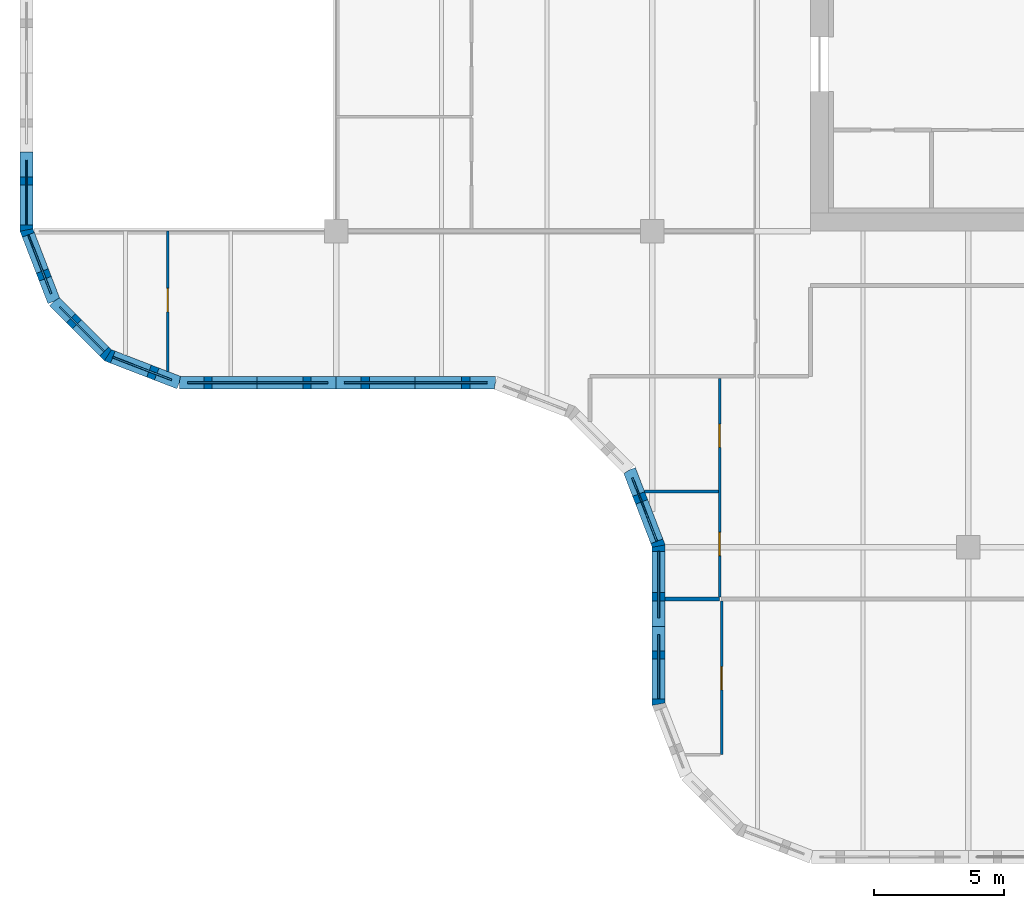
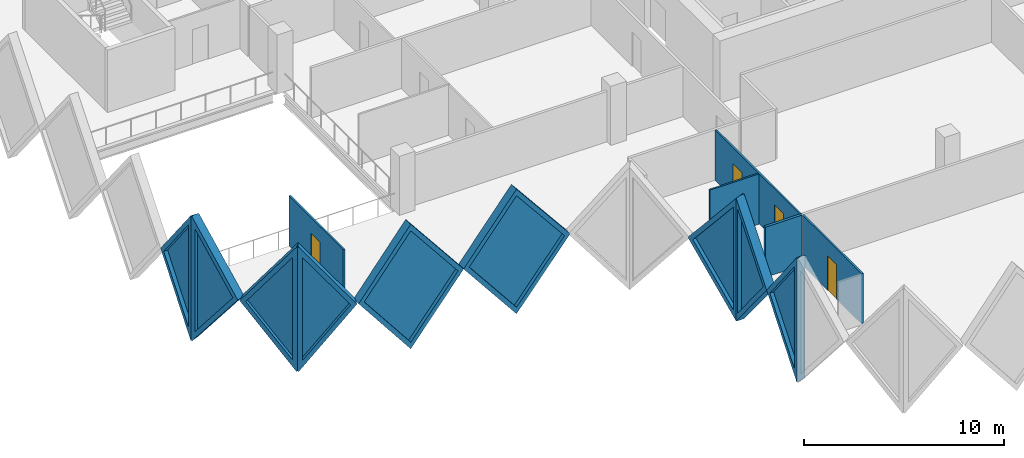
# One storey, part 3 of 12: 14 walls, 9 plates, 4 doors, 13 openings.
"""IFC4 building model written with IfcOpenShell, lengths in metres."""

from ifc_helpers import new_model, si_unit, direction, frame, frame_2d, origin, place, context, subcontext, project, spatial, polyline, rectangle, outline, extrude, faceted_brep, source, transform, mapped, material, layer, layer_set, type_object, element, fill, save


model = new_model("IFC4")

# Units and contexts
model_context = context("Model", 3, precision=1e-05, world=origin(), true_north=direction((0.0, 1.0)))
body_context = subcontext(model_context, "Body", "Model", "MODEL_VIEW")
ifc_project = project(units=[si_unit("LENGTHUNIT", "METRE"), si_unit("AREAUNIT", "SQUARE_METRE"), si_unit("VOLUMEUNIT", "CUBIC_METRE"), si_unit("PLANEANGLEUNIT", "RADIAN"), si_unit("MASSUNIT", "GRAM", prefix="KILO")], contexts=[model_context])

# Site, building, storey
site_placement = place(None, origin())
site = spatial("IfcSite", under=ifc_project, at=site_placement, CompositionType="ELEMENT")
building_placement = place(site_placement, origin())
building = spatial("IfcBuilding", under=site, at=building_placement, Name="Tessera Gate Towers", CompositionType="ELEMENT")
storey_placement = place(building_placement, frame((0.0, 0.0, 139.199951171875)))
storey = spatial("IfcBuildingStorey", under=building, at=storey_placement, Name="L34", CompositionType="ELEMENT", Elevation=139.199951171875)

# Wall, opening, door
ifc_material_1 = material(Name="Glass", Category="glass")
ifc_layer_1 = layer(ifc_material_1, 0.10009765625)
ifc_layer_set_1 = layer_set([ifc_layer_1], Name="GLAZED PARTITION 100")
wall_type_1 = type_object("IfcWallType", Name="GLAZED PARTITION 100", PredefinedType="PARTITIONING", material=ifc_layer_set_1)
wall_1_placement = place(storey_placement, frame((5.699951171875, 18.990234375, 0.0), z_axis=(0.0, 0.0, 1.0), x_axis=(0.0, 1.0, 0.0)))
wall_1 = element("IfcWall", 1, at=wall_1_placement, inside=storey, type_object=wall_type_1, Name="T1-L34-PW-025", PredefinedType="PARTITIONING", context=body_context, shape_type="SweptSolid", body=[
    extrude(rectangle(XDim=5.40966796875, YDim=0.10009765625, at=frame_2d((2.704833984375, 0.0))), origin(), (0.0, 0.0, 1.0), 3.067138671875),
])
shared_shape_1 = source(origin(), body_context, "Body", "SweptSolid", [
    extrude(rectangle(XDim=0.89990234375, YDim=2.10009765625, at=frame_2d((0.449951171875, 1.050048828125))), frame((0.0, 0.06005859375, 0.0), z_axis=(0.0, -1.0, 0.0), x_axis=(1.0, 0.0, 0.0)), (0.0, 0.0, 1.0), 0.1201171875),
])
opening_1_placement = place(wall_1_placement, frame((2.300048828125, 0.0, 0.0)))
opening_1 = element("IfcOpeningElement", 2, at=opening_1_placement, cuts=wall_1, Name="Opening D690-A12-02", PredefinedType="OPENING", context=body_context, shape_type="MappedRepresentation", body=[
    mapped(shared_shape_1, transform((0.0, 0.0, 0.0), scale=1.0)),
])
ifc_material_2 = material(Name="Glass in aluminium frame", Category="aluminium")
door_type_1 = type_object("IfcDoorType", Name="GLAZED DOOR 900 NOT RATED", OperationType="NOTDEFINED", PredefinedType="DOOR", material=ifc_material_2)
shared_shape_2 = source(origin(), body_context, "Body", "SweptSolid", [
    extrude(rectangle(XDim=0.89990234375, YDim=2.10009765625, at=frame_2d((0.449951171875, 1.050048828125))), frame((0.0, 0.02490234375, 0.0), z_axis=(0.0, -1.0, 0.0), x_axis=(1.0, 0.0, 0.0)), (0.0, 0.0, 1.0), 0.050048828125),
])
door_1_placement = place(opening_1_placement, origin())
door_1 = element("IfcDoor", 3, at=door_1_placement, inside=storey, type_object=door_type_1, Name="T1-L34-PD-015", OperationType="SINGLE_SWING_LEFT", OverallHeight=2.10009765625, OverallWidth=0.89990234375, PredefinedType="DOOR", context=body_context, shape_type="MappedRepresentation", body=[
    mapped(shared_shape_2, transform((0.0, 0.0, 0.0), scale=1.0)),
])
fill(opening_1, door_1)

ifc_material_3 = material(Name="Gypsum board on steel studs", Category="steel")
ifc_layer_2 = layer(ifc_material_3, 0.10009765625)
ifc_layer_set_2 = layer_set([ifc_layer_2], Name="PARTITION 100")
wall_type_2 = type_object("IfcWallType", Name="PARTITION 100", PredefinedType="PARTITIONING", material=ifc_layer_set_2)
wall_2_placement = place(storey_placement, frame((27.074951171875, 4.199951171875, 0.0), z_axis=(0.0, 0.0, 1.0), x_axis=(0.0, 1.0, 0.0)))
wall_2 = element("IfcWall", 4, at=wall_2_placement, inside=storey, type_object=wall_type_2, Name="T1-L34-PW-004", PredefinedType="PARTITIONING", context=body_context, shape_type="SweptSolid", body=[
    extrude(rectangle(XDim=5.924072265625, YDim=0.10009765625, at=frame_2d((2.9619140625, 0.0))), origin(), (0.0, 0.0, 1.0), 3.067138671875),
])
opening_2_placement = place(wall_2_placement, frame((2.5, 0.0, 0.0)))
opening_2 = element("IfcOpeningElement", 5, at=opening_2_placement, cuts=wall_2, Name="Opening D190-A12-14", PredefinedType="OPENING", context=body_context, shape_type="MappedRepresentation", body=[
    mapped(shared_shape_1, transform((0.0, 0.0, 0.0), scale=1.0)),
])
ifc_material_4 = material(Name="Timber door leaf in steel frame", Category="steel")
door_type_2 = type_object("IfcDoorType", Name="INTERNAL DOOR 900 NOT RATED", OperationType="NOTDEFINED", PredefinedType="DOOR", material=ifc_material_4)
door_2_placement = place(opening_2_placement, origin())
door_2 = element("IfcDoor", 6, at=door_2_placement, inside=storey, type_object=door_type_2, Name="T1-L34-PD-023", OperationType="SINGLE_SWING_LEFT", OverallHeight=2.10009765625, OverallWidth=0.89990234375, PredefinedType="DOOR", context=body_context, shape_type="MappedRepresentation", body=[
    mapped(shared_shape_2, transform((0.0, 0.0, 0.0), scale=1.0)),
])
fill(opening_2, door_2)

# Wall, openings, doors
wall_3_placement = place(storey_placement, frame((27.0, 10.27587890625, 0.0), z_axis=(0.0, 0.0, 1.0), x_axis=(0.0, 1.0, 0.0)))
wall_3 = element("IfcWall", 7, at=wall_3_placement, inside=storey, type_object=wall_type_2, Name="T1-L34-PW-011", PredefinedType="PARTITIONING", context=body_context, shape_type="SweptSolid", body=[
    extrude(rectangle(XDim=8.4482421875, YDim=0.10009765625, at=frame_2d((4.22412109375, 0.0))), origin(), (0.0, 0.0, 1.0), 3.067138671875),
])
opening_3_placement = place(wall_3_placement, frame((1.60009765625, 0.0, 0.0)))
opening_3 = element("IfcOpeningElement", 8, at=opening_3_placement, cuts=wall_3, Name="Opening D190-A12-01", PredefinedType="OPENING", context=body_context, shape_type="MappedRepresentation", body=[
    mapped(shared_shape_1, transform((0.0, 0.0, 0.0), scale=1.0)),
])
opening_4_placement = place(wall_3_placement, frame((5.778564453125, 0.0, 0.0)))
opening_4 = element("IfcOpeningElement", 9, at=opening_4_placement, cuts=wall_3, Name="Opening D190-A12-05", PredefinedType="OPENING", context=body_context, shape_type="MappedRepresentation", body=[
    mapped(shared_shape_1, transform((0.0, 0.0, 0.0), scale=1.0)),
])
door_3_placement = place(opening_3_placement, origin())
door_3 = element("IfcDoor", 10, at=door_3_placement, inside=storey, type_object=door_type_2, Name="T1-L34-PD-002", OperationType="SINGLE_SWING_LEFT", OverallHeight=2.10009765625, OverallWidth=0.89990234375, PredefinedType="DOOR", context=body_context, shape_type="MappedRepresentation", body=[
    mapped(shared_shape_2, transform((0.0, 0.0, 0.0), scale=1.0)),
])
fill(opening_3, door_3)
door_4_placement = place(opening_4_placement, origin())
door_4 = element("IfcDoor", 11, at=door_4_placement, inside=storey, type_object=door_type_2, Name="T1-L34-PD-006", OperationType="SINGLE_SWING_LEFT", OverallHeight=2.10009765625, OverallWidth=0.89990234375, PredefinedType="DOOR", context=body_context, shape_type="MappedRepresentation", body=[
    mapped(shared_shape_2, transform((0.0, 0.0, 0.0), scale=1.0)),
])
fill(opening_4, door_4)

# Walls
wall_4_placement = place(storey_placement, frame((24.104736328125, 14.35498046875, 0.0), z_axis=(0.0, 0.0, 1.0), x_axis=(1.0, 0.0, 0.0)))
element("IfcWall", 12, at=wall_4_placement, inside=storey, type_object=wall_type_2, Name="T1-L34-PW-014", PredefinedType="PARTITIONING", context=body_context, shape_type="SweptSolid", body=[
    extrude(rectangle(XDim=2.84423828125, YDim=0.10009765625, at=frame_2d((1.422119140625, 0.0))), origin(), (0.0, 0.0, 1.0), 3.067138671875),
])
ifc_material_5 = material(Name="Gypsum board on steel studs, mineral wool", Category="steel")
ifc_layer_3 = layer(ifc_material_5, 0.14990234375)
ifc_layer_set_3 = layer_set([ifc_layer_3], Name="TENANCY WALL 150")
wall_type_3 = type_object("IfcWallType", Name="TENANCY WALL 150", PredefinedType="PARTITIONING", material=ifc_layer_set_3)
wall_5_placement = place(storey_placement, frame((24.89990234375, 10.199951171875, 0.0), z_axis=(0.0, 0.0, 1.0), x_axis=(1.0, 0.0, 0.0)))
element("IfcWall", 13, at=wall_5_placement, inside=storey, type_object=wall_type_3, Name="T1-L34-PW-009", PredefinedType="PARTITIONING", context=body_context, shape_type="SweptSolid", body=[
    extrude(rectangle(XDim=2.10009765625, YDim=0.14990234375, at=frame_2d((1.050048828125, 0.0))), origin(), (0.0, 0.0, 1.0), 3.067138671875),
])

# Wall, opening, plate
ifc_material_6 = material(Name="Precast concrete C60/75 white", Category="concrete")
ifc_layer_4 = layer(ifc_material_6, 0.5)
ifc_layer_set_4 = layer_set([ifc_layer_4], Name="TS1 tessera")
wall_type_4 = type_object("IfcWallType", Name="TS1 tessera", PredefinedType="SOLIDWALL", material=ifc_layer_set_4)
shared_shape_3 = source(origin(), body_context, "Body", "Brep", [
    faceted_brep([(3.00341796875, -0.25, 0.0), (6.053466796875, -0.25, 3.800048828125), (3.00341796875, -0.25, 7.60009765625), (0.0, -0.25, 3.800048828125), (0.046630859375, 0.25, 3.85888671875), (3.00341796875, 0.25, 7.60009765625), (6.053466796875, 0.25, 3.800048828125), (3.00341796875, 0.25, 0.0), (0.046630859375, 0.25, 3.7412109375), (0.0, 0.0, 3.800048828125)], [[[0, 1, 2, 3]], [[4, 5, 6, 7, 8]], [[7, 6, 1, 0]], [[6, 5, 2, 1]], [[5, 4, 9, 3, 2]], [[8, 7, 0, 3, 9]], [[8, 9, 4]]]),
])
wall_6_placement = place(storey_placement, frame((6.146484375, 18.550048828125, -3.800048828125), z_axis=(0.0, 0.0, 1.0), x_axis=(1.0, 0.0, 0.0)))
wall_6 = element("IfcWall", 14, at=wall_6_placement, inside=storey, type_object=wall_type_4, Name="Precast tessera T1 TS1-0596", PredefinedType="SOLIDWALL", context=body_context, shape_type="MappedRepresentation", body=[
    mapped(shared_shape_3, transform((0.0, 0.0, 0.0), scale=1.0)),
])
shared_shape_4 = source(origin(), body_context, "Body", "SweptSolid", [
    extrude(outline(polyline([(3.0048828125, 0.4013671875), (5.73291015625, 3.800048828125), (3.0048828125, 7.19873046875), (0.318603515625, 3.800048828125), (3.0048828125, 0.4013671875)])), frame((0.0, 0.260009765625, 0.0), z_axis=(0.0, -1.0, 0.0), x_axis=(1.0, 0.0, 0.0)), (0.0, 0.0, 1.0), 0.52001953125),
])
opening_5_placement = place(wall_6_placement, origin())
opening_5 = element("IfcOpeningElement", 15, at=opening_5_placement, cuts=wall_6, Name="Opening T1-PL2-1212", PredefinedType="OPENING", context=body_context, shape_type="MappedRepresentation", body=[
    mapped(shared_shape_4, transform((0.0, 0.0, 0.0), scale=1.0)),
])
ifc_material_7 = material(Name="Low-e laminated glass", Category="glass")
ifc_layer_5 = layer(ifc_material_7, 0.06005859375)
ifc_layer_set_5 = layer_set([ifc_layer_5], Name="PL2 rhombic pane")
plate_type = type_object("IfcPlateType", Name="PL2 rhombic pane", PredefinedType="SHEET", material=ifc_layer_set_5)
shared_shape_5 = source(origin(), body_context, "Body", "SweptSolid", [
    extrude(outline(polyline([(3.0048828125, 0.4013671875), (5.73291015625, 3.800048828125), (3.0048828125, 7.19873046875), (0.318603515625, 3.800048828125), (3.0048828125, 0.4013671875)])), frame((0.0, 0.030029296875, 0.0), z_axis=(0.0, -1.0, 0.0), x_axis=(1.0, 0.0, 0.0)), (0.0, 0.0, 1.0), 0.06005859375),
])
plate_1_placement = place(opening_5_placement, origin())
plate_1 = element("IfcPlate", 16, at=plate_1_placement, inside=storey, type_object=plate_type, Name="Glass pane T1 PL2-1212", PredefinedType="SHEET", context=body_context, shape_type="MappedRepresentation", body=[
    mapped(shared_shape_5, transform((0.0, 0.0, 0.0), scale=1.0)),
])
fill(opening_5, plate_1)

ifc_material_8 = material(Name="Precast concrete C60/75 white", Category="concrete")
ifc_layer_6 = layer(ifc_material_8, 0.5)
ifc_layer_set_6 = layer_set([ifc_layer_6], Name="TS3 corner tessera")
wall_type_5 = type_object("IfcWallType", Name="TS3 corner tessera", PredefinedType="SOLIDWALL", material=ifc_layer_set_6)
shared_shape_6 = source(origin(), body_context, "Body", "Brep", [
    faceted_brep([(3.00341796875, -0.25, 0.0), (3.050048828125, -0.25, 0.06005859375), (3.050048828125, -0.25, 7.5400390625), (3.00341796875, -0.25, 7.60009765625), (0.0, -0.25, 3.800048828125), (0.0, 0.25, 3.800048828125), (2.956787109375, 0.25, 7.541259765625), (2.956787109375, 0.25, 0.058837890625), (3.00341796875, 0.000244140625, 0.0), (3.00341796875, 0.000244140625, 7.60009765625)], [[[0, 1, 2, 3, 4]], [[5, 6, 7]], [[1, 0, 8]], [[9, 3, 2]], [[6, 5, 4, 3, 9]], [[5, 7, 8, 0, 4]], [[1, 8, 7, 6, 9, 2]]]),
])
wall_7_placement = place(storey_placement, frame((0.25, 27.449951171875, -3.800048828125), z_axis=(0.0, 0.0, 1.0), x_axis=(0.0, -1.0, 0.0)))
wall_7 = element("IfcWall", 17, at=wall_7_placement, inside=storey, type_object=wall_type_5, Name="Precast corner tessera T1 TS3-0781", PredefinedType="SOLIDWALL", context=body_context, shape_type="MappedRepresentation", body=[
    mapped(shared_shape_6, transform((0.0, 0.0, 0.0), scale=1.0)),
])
shared_shape_7 = source(origin(), body_context, "Body", "SweptSolid", [
    extrude(outline(polyline([(2.803466796875, 6.94384765625), (0.318603515625, 3.800048828125), (2.803466796875, 0.65625), (2.803466796875, 6.94384765625)])), frame((0.0, 0.260009765625, 0.0), z_axis=(0.0, -1.0, 0.0), x_axis=(1.0, 0.0, 0.0)), (0.0, 0.0, 1.0), 0.52001953125),
])
opening_6_placement = place(wall_7_placement, origin())
opening_6 = element("IfcOpeningElement", 18, at=opening_6_placement, cuts=wall_7, Name="Opening T1-PL2-1208", PredefinedType="OPENING", context=body_context, shape_type="MappedRepresentation", body=[
    mapped(shared_shape_7, transform((0.0, 0.0, 0.0), scale=1.0)),
])
shared_shape_8 = source(origin(), body_context, "Body", "SweptSolid", [
    extrude(outline(polyline([(2.803466796875, 6.94384765625), (0.318603515625, 3.800048828125), (2.803466796875, 0.65625), (2.803466796875, 6.94384765625)])), frame((0.0, 0.030029296875, 0.0), z_axis=(0.0, -1.0, 0.0), x_axis=(1.0, 0.0, 0.0)), (0.0, 0.0, 1.0), 0.06005859375),
])
plate_2_placement = place(opening_6_placement, origin())
plate_2 = element("IfcPlate", 19, at=plate_2_placement, inside=storey, type_object=plate_type, Name="Glass pane T1 PL2-1208", PredefinedType="SHEET", context=body_context, shape_type="MappedRepresentation", body=[
    mapped(shared_shape_8, transform((0.0, 0.0, 0.0), scale=1.0)),
])
fill(opening_6, plate_2)

wall_8_placement = place(storey_placement, frame((24.64990234375, 9.14990234375, -3.800048828125), z_axis=(0.0, 0.0, 1.0), x_axis=(0.0, -1.0, 0.0)))
wall_8 = element("IfcWall", 20, at=wall_8_placement, inside=storey, type_object=wall_type_5, Name="Precast corner tessera T1 TS3-0789", PredefinedType="SOLIDWALL", context=body_context, shape_type="MappedRepresentation", body=[
    mapped(shared_shape_6, transform((0.0, 0.0, 0.0), scale=1.0)),
])
opening_7_placement = place(wall_8_placement, origin())
opening_7 = element("IfcOpeningElement", 21, at=opening_7_placement, cuts=wall_8, Name="Opening T1-PL2-1218", PredefinedType="OPENING", context=body_context, shape_type="MappedRepresentation", body=[
    mapped(shared_shape_7, transform((0.0, 0.0, 0.0), scale=1.0)),
])
plate_3_placement = place(opening_7_placement, origin())
plate_3 = element("IfcPlate", 22, at=plate_3_placement, inside=storey, type_object=plate_type, Name="Glass pane T1 PL2-1218", PredefinedType="SHEET", context=body_context, shape_type="MappedRepresentation", body=[
    mapped(shared_shape_8, transform((0.0, 0.0, 0.0), scale=1.0)),
])
fill(opening_7, plate_3)

shared_shape_9 = source(origin(), body_context, "Body", "Brep", [
    faceted_brep([(0.046630859375, -0.25, 0.0), (2.9970703125, -0.25, 3.800048828125), (0.046630859375, -0.25, 7.60009765625), (0.0, -0.25, 7.541259765625), (0.0, -0.25, 0.058837890625), (0.09326171875, 0.25, 7.5400390625), (2.9443359375, 0.25, 3.8681640625), (2.9443359375, 0.25, 3.73193359375), (0.09326171875, 0.25, 0.06005859375), (2.9970703125, 0.00048828125, 3.800048828125), (0.046630859375, 0.0, 0.0), (0.046630859375, 0.0, 7.60009765625)], [[[0, 1, 2, 3, 4]], [[5, 6, 7, 8]], [[8, 7, 9, 1, 0, 10]], [[6, 5, 11, 2, 1, 9]], [[3, 2, 11]], [[10, 0, 4]], [[8, 10, 4, 3, 11, 5]], [[9, 7, 6]]]),
])
wall_9_placement = place(storey_placement, frame((0.233154296875, 24.489990234375, -3.800048828125), z_axis=(0.0, 0.0, 1.0), x_axis=(0.359901446078, -0.932990326376, 0.0)))
wall_9 = element("IfcWall", 23, at=wall_9_placement, inside=storey, type_object=wall_type_5, Name="Precast corner tessera T1 TS3-0782", PredefinedType="SOLIDWALL", context=body_context, shape_type="MappedRepresentation", body=[
    mapped(shared_shape_9, transform((0.0, 0.0, 0.0), scale=1.0)),
])
shared_shape_10 = source(origin(), body_context, "Body", "SweptSolid", [
    extrude(outline(polyline([(0.24658203125, 0.665283203125), (2.6806640625, 3.800048828125), (0.24658203125, 6.934814453125), (0.24658203125, 0.665283203125)])), frame((0.0, 0.260009765625, 0.0), z_axis=(0.0, -1.0, 0.0), x_axis=(1.0, 0.0, 0.0)), (0.0, 0.0, 1.0), 0.52001953125),
])
opening_8_placement = place(wall_9_placement, origin())
opening_8 = element("IfcOpeningElement", 24, at=opening_8_placement, cuts=wall_9, Name="Opening T1-PL2-1209", PredefinedType="OPENING", context=body_context, shape_type="MappedRepresentation", body=[
    mapped(shared_shape_10, transform((0.0, 0.0, 0.0), scale=1.0)),
])
shared_shape_11 = source(origin(), body_context, "Body", "SweptSolid", [
    extrude(outline(polyline([(0.24658203125, 0.665283203125), (2.6806640625, 3.800048828125), (0.24658203125, 6.934814453125), (0.24658203125, 0.665283203125)])), frame((0.0, 0.030029296875, 0.0), z_axis=(0.0, -1.0, 0.0), x_axis=(1.0, 0.0, 0.0)), (0.0, 0.0, 1.0), 0.06005859375),
])
plate_4_placement = place(opening_8_placement, origin())
plate_4 = element("IfcPlate", 25, at=plate_4_placement, inside=storey, type_object=plate_type, Name="Glass pane T1 PL2-1209", PredefinedType="SHEET", context=body_context, shape_type="MappedRepresentation", body=[
    mapped(shared_shape_11, transform((0.0, 0.0, 0.0), scale=1.0)),
])
fill(opening_8, plate_4)

shared_shape_12 = source(origin(), body_context, "Body", "Brep", [
    faceted_brep([(0.052978515625, -0.25, 0.0), (3.00341796875, -0.25, 3.800048828125), (0.052978515625, -0.25, 7.60009765625), (0.0, -0.25, 7.53173828125), (0.0, -0.25, 0.068359375), (0.10595703125, 0.25, 7.531982421875), (2.95703125, 0.25, 3.85986328125), (2.95703125, 0.25, 3.740234375), (0.10595703125, 0.25, 0.068115234375), (3.00341796875, 0.00048828125, 3.800048828125), (0.052978515625, 0.0, 0.0), (0.052978515625, 0.0, 7.60009765625)], [[[0, 1, 2, 3, 4]], [[5, 6, 7, 8]], [[8, 7, 9, 1, 0, 10]], [[6, 5, 11, 2, 1, 9]], [[3, 2, 11]], [[10, 0, 4]], [[8, 10, 4, 3, 11, 5]], [[9, 7, 6]]]),
])
wall_10_placement = place(storey_placement, frame((3.34423828125, 19.630859375, -3.800048828125), z_axis=(0.0, 0.0, 1.0), x_axis=(0.933007896601, -0.359855894603, 0.0)))
wall_10 = element("IfcWall", 26, at=wall_10_placement, inside=storey, type_object=wall_type_5, Name="Precast corner tessera T1 TS3-0784", PredefinedType="SOLIDWALL", context=body_context, shape_type="MappedRepresentation", body=[
    mapped(shared_shape_12, transform((0.0, 0.0, 0.0), scale=1.0)),
])
shared_shape_13 = source(origin(), body_context, "Body", "SweptSolid", [
    extrude(outline(polyline([(0.2529296875, 0.665283203125), (2.68701171875, 3.800048828125), (0.2529296875, 6.934814453125), (0.2529296875, 0.665283203125)])), frame((0.0, 0.260009765625, 0.0), z_axis=(0.0, -1.0, 0.0), x_axis=(1.0, 0.0, 0.0)), (0.0, 0.0, 1.0), 0.52001953125),
])
opening_9_placement = place(wall_10_placement, origin())
opening_9 = element("IfcOpeningElement", 27, at=opening_9_placement, cuts=wall_10, Name="Opening T1-PL2-1211", PredefinedType="OPENING", context=body_context, shape_type="MappedRepresentation", body=[
    mapped(shared_shape_13, transform((0.0, 0.0, 0.0), scale=1.0)),
])
shared_shape_14 = source(origin(), body_context, "Body", "SweptSolid", [
    extrude(outline(polyline([(0.2529296875, 0.665283203125), (2.68701171875, 3.800048828125), (0.2529296875, 6.934814453125), (0.2529296875, 0.665283203125)])), frame((0.0, 0.030029296875, 0.0), z_axis=(0.0, -1.0, 0.0), x_axis=(1.0, 0.0, 0.0)), (0.0, 0.0, 1.0), 0.06005859375),
])
plate_5_placement = place(opening_9_placement, origin())
plate_5 = element("IfcPlate", 28, at=plate_5_placement, inside=storey, type_object=plate_type, Name="Glass pane T1 PL2-1211", PredefinedType="SHEET", context=body_context, shape_type="MappedRepresentation", body=[
    mapped(shared_shape_14, transform((0.0, 0.0, 0.0), scale=1.0)),
])
fill(opening_9, plate_5)

shared_shape_15 = source(origin(), body_context, "Body", "Brep", [
    faceted_brep([(2.944091796875, -0.25, 0.0), (2.9970703125, -0.25, 0.068115234375), (2.9970703125, -0.25, 7.531982421875), (2.944091796875, -0.25, 7.60009765625), (0.0, -0.25, 3.800048828125), (0.052978515625, 0.25, 3.868408203125), (2.89111328125, 0.25, 7.531982421875), (2.89111328125, 0.25, 0.068115234375), (0.052978515625, 0.25, 3.731689453125), (2.944091796875, 0.000244140625, 0.0), (2.944091796875, 0.000244140625, 7.60009765625), (0.0, 0.0, 3.800048828125)], [[[0, 1, 2, 3, 4]], [[5, 6, 7, 8]], [[1, 0, 9]], [[10, 3, 2]], [[6, 5, 11, 4, 3, 10]], [[8, 7, 9, 0, 4, 11]], [[8, 11, 5]], [[1, 9, 7, 6, 10, 2]]]),
])
wall_11_placement = place(storey_placement, frame((1.31201171875, 21.69384765625, -3.800048828125), z_axis=(0.0, 0.0, 1.0), x_axis=(0.707066050402, -0.707147509625, 0.0)))
wall_11 = element("IfcWall", 29, at=wall_11_placement, inside=storey, type_object=wall_type_5, Name="Precast corner tessera T1 TS3-0783", PredefinedType="SOLIDWALL", context=body_context, shape_type="MappedRepresentation", body=[
    mapped(shared_shape_15, transform((0.0, 0.0, 0.0), scale=1.0)),
])
shared_shape_16 = source(origin(), body_context, "Body", "SweptSolid", [
    extrude(outline(polyline([(2.744140625, 6.933837890625), (0.316162109375, 3.800048828125), (2.744140625, 0.66650390625), (2.744140625, 6.933837890625)])), frame((0.0, 0.260009765625, 0.0), z_axis=(0.0, -1.0, 0.0), x_axis=(1.0, 0.0, 0.0)), (0.0, 0.0, 1.0), 0.52001953125),
])
opening_10_placement = place(wall_11_placement, origin())
opening_10 = element("IfcOpeningElement", 30, at=opening_10_placement, cuts=wall_11, Name="Opening T1-PL2-1210", PredefinedType="OPENING", context=body_context, shape_type="MappedRepresentation", body=[
    mapped(shared_shape_16, transform((0.0, 0.0, 0.0), scale=1.0)),
])
shared_shape_17 = source(origin(), body_context, "Body", "SweptSolid", [
    extrude(outline(polyline([(2.744140625, 6.933837890625), (0.316162109375, 3.800048828125), (2.744140625, 0.66650390625), (2.744140625, 6.933837890625)])), frame((0.0, 0.030029296875, 0.0), z_axis=(0.0, -1.0, 0.0), x_axis=(1.0, 0.0, 0.0)), (0.0, 0.0, 1.0), 0.06005859375),
])
plate_6_placement = place(opening_10_placement, origin())
plate_6 = element("IfcPlate", 31, at=plate_6_placement, inside=storey, type_object=plate_type, Name="Glass pane T1 PL2-1210", PredefinedType="SHEET", context=body_context, shape_type="MappedRepresentation", body=[
    mapped(shared_shape_17, transform((0.0, 0.0, 0.0), scale=1.0)),
])
fill(opening_10, plate_6)

shared_shape_18 = source(origin(), body_context, "Body", "Brep", [
    faceted_brep([(3.050048828125, -0.25, 0.0), (6.10009765625, -0.25, 3.742919921875), (6.10009765625, -0.25, 3.857177734375), (3.050048828125, -0.25, 7.60009765625), (0.0, -0.25, 3.800048828125), (0.0, 0.25, 3.800048828125), (3.050048828125, 0.25, 7.60009765625), (6.146484375, 0.25, 3.800048828125), (3.050048828125, 0.25, 0.0), (6.146484375, -0.000244140625, 3.800048828125)], [[[0, 1, 2, 3, 4]], [[5, 6, 7, 8]], [[8, 7, 9, 1, 0]], [[7, 6, 3, 2, 9]], [[6, 5, 4, 3]], [[5, 8, 0, 4]], [[1, 9, 2]]]),
])
wall_12_placement = place(storey_placement, frame((12.199951171875, 18.550048828125, -3.800048828125), z_axis=(0.0, 0.0, 1.0), x_axis=(1.0, 0.0, 0.0)))
wall_12 = element("IfcWall", 32, at=wall_12_placement, inside=storey, type_object=wall_type_4, Name="Precast tessera T1 TS1-0597", PredefinedType="SOLIDWALL", context=body_context, shape_type="MappedRepresentation", body=[
    mapped(shared_shape_18, transform((0.0, 0.0, 0.0), scale=1.0)),
])
shared_shape_19 = source(origin(), body_context, "Body", "SweptSolid", [
    extrude(outline(polyline([(3.051513671875, 0.397705078125), (5.823974609375, 3.800048828125), (3.051513671875, 7.20263671875), (0.320556640625, 3.800048828125), (3.051513671875, 0.397705078125)])), frame((0.0, 0.260009765625, 0.0), z_axis=(0.0, -1.0, 0.0), x_axis=(1.0, 0.0, 0.0)), (0.0, 0.0, 1.0), 0.52001953125),
])
opening_11_placement = place(wall_12_placement, origin())
opening_11 = element("IfcOpeningElement", 33, at=opening_11_placement, cuts=wall_12, Name="Opening T1-PL2-1213", PredefinedType="OPENING", context=body_context, shape_type="MappedRepresentation", body=[
    mapped(shared_shape_19, transform((0.0, 0.0, 0.0), scale=1.0)),
])
shared_shape_20 = source(origin(), body_context, "Body", "SweptSolid", [
    extrude(outline(polyline([(3.051513671875, 0.397705078125), (5.823974609375, 3.800048828125), (3.051513671875, 7.20263671875), (0.320556640625, 3.800048828125), (3.051513671875, 0.397705078125)])), frame((0.0, 0.030029296875, 0.0), z_axis=(0.0, -1.0, 0.0), x_axis=(1.0, 0.0, 0.0)), (0.0, 0.0, 1.0), 0.06005859375),
])
plate_7_placement = place(opening_11_placement, origin())
plate_7 = element("IfcPlate", 34, at=plate_7_placement, inside=storey, type_object=plate_type, Name="Glass pane T1 PL2-1213", PredefinedType="SHEET", context=body_context, shape_type="MappedRepresentation", body=[
    mapped(shared_shape_20, transform((0.0, 0.0, 0.0), scale=1.0)),
])
fill(opening_11, plate_7)

shared_shape_21 = source(origin(), body_context, "Body", "Brep", [
    faceted_brep([(3.10302734375, -0.25, 7.5439453125), (0.052978515625, -0.25, 3.864013671875), (0.052978515625, -0.25, 3.736083984375), (3.10302734375, -0.25, 0.05615234375), (0.0, 0.25, 3.800048828125), (3.1494140625, 0.25, 7.60009765625), (3.196044921875, 0.25, 7.54296875), (3.196044921875, 0.25, 0.05712890625), (3.1494140625, 0.25, 0.0), (3.1494140625, -0.000244140625, 0.0), (3.1494140625, -0.000244140625, 7.60009765625), (0.0, 0.0, 3.800048828125)], [[[0, 1, 2, 3]], [[4, 5, 6, 7, 8]], [[8, 7, 9]], [[6, 5, 10]], [[5, 4, 11, 1, 0, 10]], [[4, 8, 9, 3, 2, 11]], [[11, 2, 1]], [[3, 9, 7, 6, 10, 0]]]),
])
wall_13_placement = place(storey_placement, frame((23.5166015625, 15.18505859375, -3.800048828125), z_axis=(0.0, 0.0, 1.0), x_axis=(0.359864468756, -0.933004589553, 0.0)))
wall_13 = element("IfcWall", 35, at=wall_13_placement, inside=storey, type_object=wall_type_5, Name="Precast corner tessera T1 TS3-0787", PredefinedType="SOLIDWALL", context=body_context, shape_type="MappedRepresentation", body=[
    mapped(shared_shape_21, transform((0.0, 0.0, 0.0), scale=1.0)),
])
shared_shape_22 = source(origin(), body_context, "Body", "SweptSolid", [
    extrude(outline(polyline([(2.949462890625, 6.967041015625), (0.32470703125, 3.800048828125), (2.949462890625, 0.63330078125), (2.949462890625, 6.967041015625)])), frame((0.0, 0.260009765625, 0.0), z_axis=(0.0, -1.0, 0.0), x_axis=(1.0, 0.0, 0.0)), (0.0, 0.0, 1.0), 0.52001953125),
])
opening_12_placement = place(wall_13_placement, origin())
opening_12 = element("IfcOpeningElement", 36, at=opening_12_placement, cuts=wall_13, Name="Opening T1-PL2-1216", PredefinedType="OPENING", context=body_context, shape_type="MappedRepresentation", body=[
    mapped(shared_shape_22, transform((0.0, 0.0, 0.0), scale=1.0)),
])
shared_shape_23 = source(origin(), body_context, "Body", "SweptSolid", [
    extrude(outline(polyline([(2.949462890625, 6.967041015625), (0.32470703125, 3.800048828125), (2.949462890625, 0.63330078125), (2.949462890625, 6.967041015625)])), frame((0.0, 0.030029296875, 0.0), z_axis=(0.0, -1.0, 0.0), x_axis=(1.0, 0.0, 0.0)), (0.0, 0.0, 1.0), 0.06005859375),
])
plate_8_placement = place(opening_12_placement, origin())
plate_8 = element("IfcPlate", 37, at=plate_8_placement, inside=storey, type_object=plate_type, Name="Glass pane T1 PL2-1216", PredefinedType="SHEET", context=body_context, shape_type="MappedRepresentation", body=[
    mapped(shared_shape_23, transform((0.0, 0.0, 0.0), scale=1.0)),
])
fill(opening_12, plate_8)

shared_shape_24 = source(origin(), body_context, "Body", "Brep", [
    faceted_brep([(0.09326171875, -0.25, 0.05712890625), (3.14306640625, -0.25, 3.800048828125), (0.09326171875, -0.25, 7.54296875), (0.0, 0.25, 7.5439453125), (0.046630859375, 0.25, 7.60009765625), (3.14306640625, 0.25, 3.800048828125), (0.046630859375, 0.25, 0.0), (0.0, 0.25, 0.05615234375), (0.046630859375, 0.0, 0.0), (0.046630859375, 0.0, 7.60009765625)], [[[0, 1, 2]], [[3, 4, 5, 6, 7]], [[6, 5, 1, 0, 8]], [[5, 4, 9, 2, 1]], [[4, 3, 9]], [[7, 6, 8]], [[7, 8, 0, 2, 9, 3]]]),
])
wall_14_placement = place(storey_placement, frame((24.64990234375, 12.293212890625, -3.800048828125), z_axis=(0.0, 0.0, 1.0), x_axis=(0.0, -1.0, 0.0)))
wall_14 = element("IfcWall", 38, at=wall_14_placement, inside=storey, type_object=wall_type_5, Name="Precast corner tessera T1 TS3-0788", PredefinedType="SOLIDWALL", context=body_context, shape_type="MappedRepresentation", body=[
    mapped(shared_shape_24, transform((0.0, 0.0, 0.0), scale=1.0)),
])
shared_shape_25 = source(origin(), body_context, "Body", "SweptSolid", [
    extrude(outline(polyline([(0.24658203125, 0.641357421875), (2.82080078125, 3.800048828125), (0.24658203125, 6.958984375), (0.24658203125, 0.641357421875)])), frame((0.0, 0.260009765625, 0.0), z_axis=(0.0, -1.0, 0.0), x_axis=(1.0, 0.0, 0.0)), (0.0, 0.0, 1.0), 0.52001953125),
])
opening_13_placement = place(wall_14_placement, origin())
opening_13 = element("IfcOpeningElement", 39, at=opening_13_placement, cuts=wall_14, Name="Opening T1-PL2-1217", PredefinedType="OPENING", context=body_context, shape_type="MappedRepresentation", body=[
    mapped(shared_shape_25, transform((0.0, 0.0, 0.0), scale=1.0)),
])
shared_shape_26 = source(origin(), body_context, "Body", "SweptSolid", [
    extrude(outline(polyline([(0.24658203125, 0.641357421875), (2.82080078125, 3.800048828125), (0.24658203125, 6.958984375), (0.24658203125, 0.641357421875)])), frame((0.0, 0.030029296875, 0.0), z_axis=(0.0, -1.0, 0.0), x_axis=(1.0, 0.0, 0.0)), (0.0, 0.0, 1.0), 0.06005859375),
])
plate_9_placement = place(opening_13_placement, origin())
plate_9 = element("IfcPlate", 40, at=plate_9_placement, inside=storey, type_object=plate_type, Name="Glass pane T1 PL2-1217", PredefinedType="SHEET", context=body_context, shape_type="MappedRepresentation", body=[
    mapped(shared_shape_26, transform((0.0, 0.0, 0.0), scale=1.0)),
])
fill(opening_13, plate_9)

save(model, "model.ifc")
